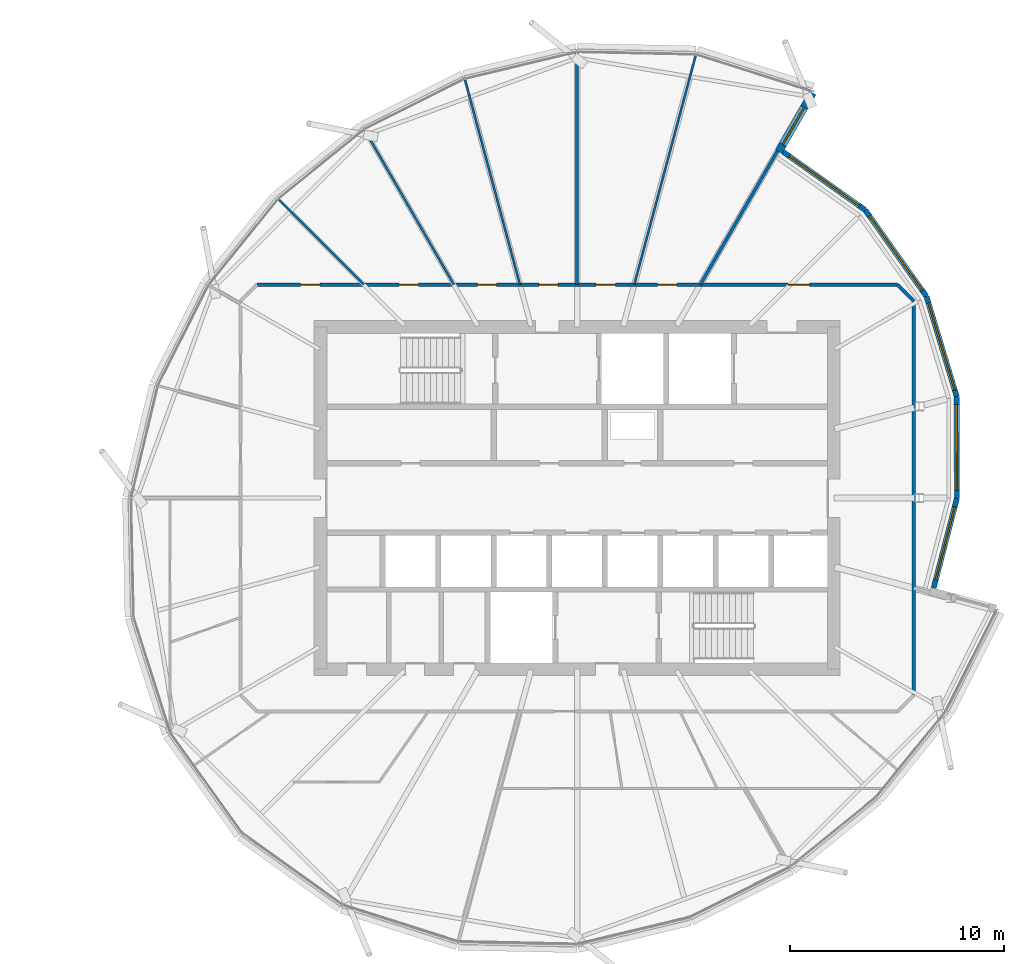
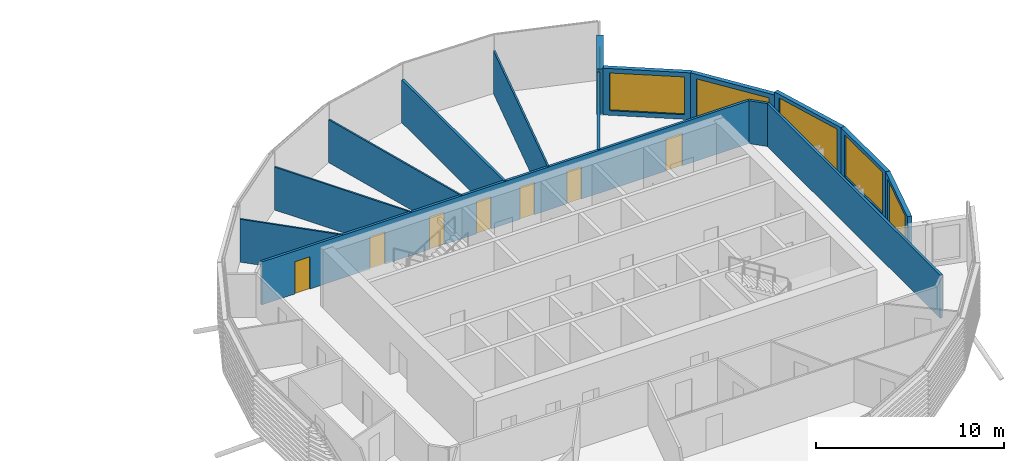
# One storey, part 23 of 37: 15 walls, 7 doors, 6 windows, 13 openings.
"""IFC4 building model written with IfcOpenShell, lengths in metres."""

import ifcopenshell
import ifcopenshell.guid

model = None  # the IFC model being written
_history = None  # IfcOwnerHistory: only IFC2X3 demands one
_inside = {}  # id of a spatial element -> (the spatial element, [elements in it])
_under = {}  # id of a project, library or spatial element -> (it, [spatial elements below it])
_declared = {}  # id of a project -> (the project, [libraries it declares])
_typed = {}  # id of a type object -> (the type object, [elements of that type])
_made_of = {}  # id of a material, layer set ... -> (it, [elements and type objects made of it])


def new_model(schema):
    """Start an empty IFC model of exactly this schema.

    Asked for "IFC4X3", IfcOpenShell would pick the latest addendum, in which some entities
    have other attributes; the version numbers below select the first issue.
    IFC2X3 requires an IfcOwnerHistory on every rooted entity: one is made here for all.
    """
    global model, _history
    if schema == "IFC4X3":
        model = ifcopenshell.file(schema_version=(4, 3, 0, 0))
    else:
        model = ifcopenshell.file(schema=schema)
    _inside.clear()
    _under.clear()
    _declared.clear()
    _typed.clear()
    _made_of.clear()
    _history = None
    if model.schema == "IFC2X3":
        org = make("IfcOrganization", Name="unknown")
        user = make(
            "IfcPersonAndOrganization",
            ThePerson=make("IfcPerson", FamilyName="unknown"),
            TheOrganization=org,
        )
        app = make(
            "IfcApplication",
            ApplicationDeveloper=org,
            Version="unknown",
            ApplicationFullName="unknown",
            ApplicationIdentifier="unknown",
        )
        _history = make(
            "IfcOwnerHistory",
            OwningUser=user,
            OwningApplication=app,
            ChangeAction="ADDED",
            CreationDate=0,
        )
    return model


def make(cls, **values):
    """One entity of the class cls with the attributes given. An attribute that is None is left unset."""
    return model.create_entity(
        cls, **{name: value for name, value in values.items() if value is not None}
    )


def rooted(cls, **values):
    """An entity with a GlobalId (a new one), such as an element, a storey or a relation."""
    return make(cls, GlobalId=ifcopenshell.guid.new(), OwnerHistory=_history, **values)


def si_unit(unit_type, name, prefix=None):
    """IfcSIUnit, for example si_unit("LENGTHUNIT", "METRE", prefix="MILLI")."""
    return make("IfcSIUnit", UnitType=unit_type, Prefix=prefix, Name=name)


def assignment(units):
    """IfcUnitAssignment: the units of a project."""
    return None if units is None else make("IfcUnitAssignment", Units=units)


def point(xyz):
    """IfcCartesianPoint."""
    return None if xyz is None else make("IfcCartesianPoint", Coordinates=xyz)


def direction(xyz):
    """IfcDirection."""
    return None if xyz is None else make("IfcDirection", DirectionRatios=xyz)


def frame(location, z_axis=None, x_axis=None):
    """IfcAxis2Placement3D, a coordinate frame: its origin and axes. An axis left out is left unset."""
    return make(
        "IfcAxis2Placement3D",
        Location=point(location),
        Axis=direction(z_axis),
        RefDirection=direction(x_axis),
    )


def frame_2d(location, x_axis=None):
    """IfcAxis2Placement2D, a coordinate frame in the plane: its origin and x axis."""
    return make(
        "IfcAxis2Placement2D", Location=point(location), RefDirection=direction(x_axis)
    )


def origin():
    """The frame at (0, 0, 0) with its axes left unset."""
    return frame((0.0, 0.0, 0.0))


def place(relative_to, where):
    """IfcLocalPlacement: puts the frame where relative to a parent placement (None: the world)."""
    return make(
        "IfcLocalPlacement", PlacementRelTo=relative_to, RelativePlacement=where
    )


def context(
    kind, dimensions, precision=None, world=None, true_north=None, identifier=None
):
    """IfcGeometricRepresentationContext, for example the 3D "Model" context."""
    return make(
        "IfcGeometricRepresentationContext",
        ContextIdentifier=identifier,
        ContextType=kind,
        CoordinateSpaceDimension=dimensions,
        Precision=precision,
        WorldCoordinateSystem=world,
        TrueNorth=true_north,
    )


def subcontext(parent, identifier, kind, view, scale=None):
    """IfcGeometricRepresentationSubContext, for example "Body" below "Model"."""
    return make(
        "IfcGeometricRepresentationSubContext",
        ContextIdentifier=identifier,
        ContextType=kind,
        ParentContext=parent,
        TargetScale=scale,
        TargetView=view,
    )


def project(units=None, contexts=None):
    """IfcProject with its units and contexts."""
    return rooted(
        "IfcProject",
        Name="project",
        RepresentationContexts=contexts,
        UnitsInContext=assignment(units),
    )


def spatial(cls, under=None, at=None, **own):
    """A site, building, storey or space (cls), placed at a placement, below another one or the project."""
    s = rooted(cls, ObjectPlacement=at, **own)
    if under is not None:
        _under.setdefault(under.id(), (under, []))[1].append(s)
    return s


def profile(cls, at=None, kind="AREA", **sizes):
    """A parametric profile (cls). Its sizes go by their IFC names, for example OverallWidth=200.0."""
    return make(cls, ProfileType=kind, Position=at, **sizes)


def rectangle(**sizes):
    """IfcRectangleProfileDef."""
    return profile("IfcRectangleProfileDef", **sizes)


def extrude(swept, where, along, depth):
    """IfcExtrudedAreaSolid: the profile swept, set in the frame where, extruded along a direction by depth."""
    return make(
        "IfcExtrudedAreaSolid",
        SweptArea=swept,
        Position=where,
        ExtrudedDirection=direction(along),
        Depth=depth,
    )


def shape(context_of_items, identifier, shape_type, items):
    """IfcShapeRepresentation: the items that make up one representation, for example the "Body"."""
    return make(
        "IfcShapeRepresentation",
        ContextOfItems=context_of_items,
        RepresentationIdentifier=identifier,
        RepresentationType=shape_type,
        Items=items,
    )


def material(Name=None, Category=None):
    """IfcMaterial."""
    return make("IfcMaterial", Name=Name, Category=Category)


def layer(
    of_material, thickness, ventilated=None, Name=None, Category=None, Priority=None
):
    """IfcMaterialLayer: one layer of a wall or slab, of a material (None: an air gap)."""
    return make(
        "IfcMaterialLayer",
        Material=of_material,
        LayerThickness=thickness,
        IsVentilated=ventilated,
        Name=Name,
        Category=Category,
        Priority=Priority,
    )


def layer_set(layers, Name=None):
    """IfcMaterialLayerSet."""
    return make("IfcMaterialLayerSet", MaterialLayers=layers, LayerSetName=Name)


def made_of(thing, what):
    """Note that an element or type object is made of a material, layer set ...; save() writes the relation."""
    if what is not None:
        _made_of.setdefault(what.id(), (what, []))[1].append(thing)
    return thing


def type_object(cls, material=None, **own):
    """A type object (cls), such as IfcWallType, which elements share."""
    return made_of(rooted(cls, **own), material)


def element(
    cls,
    number,
    at=None,
    inside=None,
    cuts=None,
    type_object=None,
    material=None,
    context=None,
    identifier="Body",
    shape_type=None,
    held_by="IfcProductDefinitionShape",
    body=None,
    shapes=None,
    **own,
):
    """One element of the class cls, such as IfcWall. Its Tag is "e" and its number.

    at: its placement. inside: the storey or other place that contains it. cuts: it is an
    opening in that element (IfcRelVoidsElement). A single representation is given by context,
    identifier, shape_type and body (its items); several are given by shapes. held_by: the class
    of the entity that holds the representations. save() writes the other relations.
    """
    e = rooted(cls, Tag="e%d" % number, ObjectPlacement=at, **own)
    if body is not None:
        shapes = [shape(context, identifier, shape_type, body)]
    if shapes is not None:
        e.Representation = make(held_by, Representations=shapes)
    if inside is not None:
        _inside.setdefault(inside.id(), (inside, []))[1].append(e)
    if cuts is not None:
        rooted(
            "IfcRelVoidsElement", RelatingBuildingElement=cuts, RelatedOpeningElement=e
        )
    if type_object is not None:
        _typed.setdefault(type_object.id(), (type_object, []))[1].append(e)
    return made_of(e, material)


def fill(opening, filler):
    """IfcRelFillsElement: the door or window that sits in an opening."""
    return rooted(
        "IfcRelFillsElement",
        RelatingOpeningElement=opening,
        RelatedBuildingElement=filler,
    )


def aggregate(whole, parts):
    """IfcRelAggregates: a whole, such as a stair, and the parts it consists of."""
    return rooted("IfcRelAggregates", RelatingObject=whole, RelatedObjects=parts)


def save(model, path):
    """Write the relations noted so far, then the file.

    IfcRelAggregates (storeys below a building ...), IfcRelContainedInSpatialStructure (elements
    in a storey), IfcRelDefinesByType, IfcRelAssociatesMaterial and IfcRelDeclares: one each for
    every whole, place, type object, material and project.
    """
    for whole, parts in _under.values():
        aggregate(whole, parts)
    for where, things in _inside.values():
        rooted(
            "IfcRelContainedInSpatialStructure",
            RelatedElements=things,
            RelatingStructure=where,
        )
    for kind, things in _typed.values():
        rooted("IfcRelDefinesByType", RelatedObjects=things, RelatingType=kind)
    for what, things in _made_of.values():
        rooted("IfcRelAssociatesMaterial", RelatedObjects=things, RelatingMaterial=what)
    for by, libraries in _declared.values():
        rooted("IfcRelDeclares", RelatingContext=by, RelatedDefinitions=libraries)
    model.write(path)


model = new_model("IFC4")

# Units and contexts
model_context = context("Model", 3, precision=1e-05, world=origin(), true_north=direction((0.0, 1.0)))
body_context = subcontext(model_context, "Body", "Model", "MODEL_VIEW")
ifc_project = project(units=[si_unit("LENGTHUNIT", "METRE"), si_unit("AREAUNIT", "SQUARE_METRE"), si_unit("VOLUMEUNIT", "CUBIC_METRE"), si_unit("PLANEANGLEUNIT", "RADIAN"), si_unit("MASSUNIT", "GRAM", prefix="KILO")], contexts=[model_context])

# Site, building, storey
site_placement = place(None, origin())
site = spatial("IfcSite", under=ifc_project, at=site_placement, CompositionType="ELEMENT")
building_placement = place(site_placement, origin())
building = spatial("IfcBuilding", under=site, at=building_placement, Name="Rimbun Link Towers", CompositionType="ELEMENT")
storey_placement = place(building_placement, frame((0.0, 0.0, 177.89990234375)))
storey = spatial("IfcBuildingStorey", under=building, at=storey_placement, Name="L43", CompositionType="ELEMENT", Elevation=177.89990234375)

# Wall, opening, window
ifc_material_1 = material(Name="Dark enamelled glass spandrel on insulated aluminium backpan", Category="aluminium")
ifc_layer_1 = layer(ifc_material_1, 0.25)
ifc_layer_set_1 = layer_set([ifc_layer_1], Name="CS dark enamelled spandrel wall 250")
wall_type_1 = type_object("IfcWallType", Name="CS dark enamelled spandrel wall 250", PredefinedType="STANDARD", material=ifc_layer_set_1)
wall_1_placement = place(storey_placement, frame((41.3837890625, 16.18603515625, 0.0), z_axis=(0.0, 0.0, 1.0), x_axis=(0.815645531274, -0.578551957315, 0.0)))
wall_1 = element("IfcWall", 1, at=wall_1_placement, inside=storey, type_object=wall_type_1, Name="Crease spandrel wall", PredefinedType="STANDARD", context=body_context, shape_type="SweptSolid", body=[
    extrude(rectangle(XDim=4.69970703125, YDim=0.25, at=frame_2d((2.349853515625, 0.0))), origin(), (0.0, 0.0, 1.0), 3.03759765625),
])
opening_1_placement = place(wall_1_placement, frame((0.349853515625, 0.0, 0.300048828125)))
opening_1 = element("IfcOpeningElement", 2, at=opening_1_placement, cuts=wall_1, Name="Opening WR40H245", PredefinedType="OPENING", context=body_context, shape_type="SweptSolid", body=[
    extrude(rectangle(XDim=4.0, YDim=2.449951171875, at=frame_2d((2.0, 1.22509765625))), frame((0.0, 0.135009765625, 0.0), z_axis=(0.0, -1.0, 0.0), x_axis=(1.0, 0.0, 0.0)), (0.0, 0.0, 1.0), 0.27001953125),
])
ifc_material_2 = material(Name="Aluminium framed fixed window, dark tinted low-e glass", Category="aluminium")
window_type_1 = type_object("IfcWindowType", Name="WR ribbon window 4000X2450", PartitioningType="SINGLE_PANEL", PredefinedType="WINDOW", material=ifc_material_2)
window_1_placement = place(opening_1_placement, origin())
window_1 = element("IfcWindow", 3, at=window_1_placement, inside=storey, type_object=window_type_1, Name="Crease ribbon window", OverallHeight=2.449951171875, OverallWidth=4.0, PartitioningType="SINGLE_PANEL", PredefinedType="WINDOW", context=body_context, shape_type="SweptSolid", body=[
    extrude(rectangle(XDim=4.0, YDim=2.449951171875, at=frame_2d((2.0, 1.22509765625))), frame((0.0, 0.030029296875, 0.0), z_axis=(0.0, -1.0, 0.0), x_axis=(1.0, 0.0, 0.0)), (0.0, 0.0, 1.0), 0.06005859375),
])
fill(opening_1, window_1)

wall_2_placement = place(storey_placement, frame((49.508056640625, -0.015869140625, 0.0), z_axis=(0.0, 0.0, 1.0), x_axis=(-0.251014977981, -0.967983202762, 0.0)))
wall_2 = element("IfcWall", 4, at=wall_2_placement, inside=storey, type_object=wall_type_1, Name="Crease spandrel wall", PredefinedType="STANDARD", context=body_context, shape_type="SweptSolid", body=[
    extrude(rectangle(XDim=4.3310546875, YDim=0.25, at=frame_2d((2.16552734375, 0.0))), origin(), (0.0, 0.0, 1.0), 3.233642578125),
])
opening_2_placement = place(wall_2_placement, frame((0.41552734375, 0.0, 0.300048828125)))
opening_2 = element("IfcOpeningElement", 5, at=opening_2_placement, cuts=wall_2, Name="Opening WR35H270", PredefinedType="OPENING", context=body_context, shape_type="SweptSolid", body=[
    extrude(rectangle(XDim=3.5, YDim=2.699951171875, at=frame_2d((1.75, 1.35009765625))), frame((0.0, 0.135009765625, 0.0), z_axis=(0.0, -1.0, 0.0), x_axis=(1.0, 0.0, 0.0)), (0.0, 0.0, 1.0), 0.27001953125),
])
ifc_material_3 = material(Name="Aluminium framed fixed window, dark tinted low-e glass", Category="aluminium")
window_type_2 = type_object("IfcWindowType", Name="WR ribbon window 3500X2700", PartitioningType="SINGLE_PANEL", PredefinedType="WINDOW", material=ifc_material_3)
window_2_placement = place(opening_2_placement, origin())
window_2 = element("IfcWindow", 6, at=window_2_placement, inside=storey, type_object=window_type_2, Name="Crease ribbon window", OverallHeight=2.699951171875, OverallWidth=3.5, PartitioningType="SINGLE_PANEL", PredefinedType="WINDOW", context=body_context, shape_type="SweptSolid", body=[
    extrude(rectangle(XDim=3.5, YDim=2.699951171875, at=frame_2d((1.75, 1.35009765625))), frame((0.0, 0.030029296875, 0.0), z_axis=(0.0, -1.0, 0.0), x_axis=(1.0, 0.0, 0.0)), (0.0, 0.0, 1.0), 0.06005859375),
])
fill(opening_2, window_2)

wall_3_placement = place(storey_placement, frame((49.500244140625, 4.7412109375, 0.0), z_axis=(0.0, 0.0, 1.0), x_axis=(0.001642286725, -0.999998651446, 0.0)))
wall_3 = element("IfcWall", 7, at=wall_3_placement, inside=storey, type_object=wall_type_1, Name="Crease spandrel wall", PredefinedType="STANDARD", context=body_context, shape_type="SweptSolid", body=[
    extrude(rectangle(XDim=4.757080078125, YDim=0.25, at=frame_2d((2.37841796875, 0.0))), origin(), (0.0, 0.0, 1.0), 3.233642578125),
])
opening_3_placement = place(wall_3_placement, frame((0.378662109375, 0.0, 0.300048828125)))
opening_3 = element("IfcOpeningElement", 8, at=opening_3_placement, cuts=wall_3, Name="Opening WR40H270", PredefinedType="OPENING", context=body_context, shape_type="SweptSolid", body=[
    extrude(rectangle(XDim=4.0, YDim=2.699951171875, at=frame_2d((2.0, 1.35009765625))), frame((0.0, 0.135009765625, 0.0), z_axis=(0.0, -1.0, 0.0), x_axis=(1.0, 0.0, 0.0)), (0.0, 0.0, 1.0), 0.27001953125),
])
ifc_material_4 = material(Name="Aluminium framed fixed window, dark tinted low-e glass", Category="aluminium")
window_type_3 = type_object("IfcWindowType", Name="WR ribbon window 4000X2700", PartitioningType="SINGLE_PANEL", PredefinedType="WINDOW", material=ifc_material_4)
window_3_placement = place(opening_3_placement, origin())
window_3 = element("IfcWindow", 9, at=window_3_placement, inside=storey, type_object=window_type_3, Name="Crease ribbon window", OverallHeight=2.699951171875, OverallWidth=4.0, PartitioningType="SINGLE_PANEL", PredefinedType="WINDOW", context=body_context, shape_type="SweptSolid", body=[
    extrude(rectangle(XDim=4.0, YDim=2.699951171875, at=frame_2d((2.0, 1.35009765625))), frame((0.0, 0.030029296875, 0.0), z_axis=(0.0, -1.0, 0.0), x_axis=(1.0, 0.0, 0.0)), (0.0, 0.0, 1.0), 0.06005859375),
])
fill(opening_3, window_3)

wall_4_placement = place(storey_placement, frame((48.08642578125, 9.421875, 0.0), z_axis=(0.0, 0.0, 1.0), x_axis=(0.289152232051, -0.957283127763, 0.0)))
wall_4 = element("IfcWall", 10, at=wall_4_placement, inside=storey, type_object=wall_type_1, Name="Crease spandrel wall", PredefinedType="STANDARD", context=body_context, shape_type="SweptSolid", body=[
    extrude(rectangle(XDim=4.8896484375, YDim=0.25, at=frame_2d((2.44482421875, 0.0))), origin(), (0.0, 0.0, 1.0), 3.233642578125),
])
opening_4_placement = place(wall_4_placement, frame((0.31982421875, 0.0, 0.300048828125)))
opening_4 = element("IfcOpeningElement", 11, at=opening_4_placement, cuts=wall_4, Name="Opening WR42H270", PredefinedType="OPENING", context=body_context, shape_type="SweptSolid", body=[
    extrude(rectangle(XDim=4.25, YDim=2.699951171875, at=frame_2d((2.125, 1.35009765625))), frame((0.0, 0.135009765625, 0.0), z_axis=(0.0, -1.0, 0.0), x_axis=(1.0, 0.0, 0.0)), (0.0, 0.0, 1.0), 0.27001953125),
])
ifc_material_5 = material(Name="Aluminium framed fixed window, dark tinted low-e glass", Category="aluminium")
window_type_4 = type_object("IfcWindowType", Name="WR ribbon window 4250X2700", PartitioningType="SINGLE_PANEL", PredefinedType="WINDOW", material=ifc_material_5)
window_4_placement = place(opening_4_placement, origin())
window_4 = element("IfcWindow", 12, at=window_4_placement, inside=storey, type_object=window_type_4, Name="Crease ribbon window", OverallHeight=2.699951171875, OverallWidth=4.25, PartitioningType="SINGLE_PANEL", PredefinedType="WINDOW", context=body_context, shape_type="SweptSolid", body=[
    extrude(rectangle(XDim=4.25, YDim=2.699951171875, at=frame_2d((2.125, 1.35009765625))), frame((0.0, 0.030029296875, 0.0), z_axis=(0.0, -1.0, 0.0), x_axis=(1.0, 0.0, 0.0)), (0.0, 0.0, 1.0), 0.06005859375),
])
fill(opening_4, window_4)

wall_5_placement = place(storey_placement, frame((45.217041015625, 13.467041015625, 0.0), z_axis=(0.0, 0.0, 1.0), x_axis=(0.578562177789, -0.815638281612, 0.0)))
wall_5 = element("IfcWall", 13, at=wall_5_placement, inside=storey, type_object=wall_type_1, Name="Crease spandrel wall", PredefinedType="STANDARD", context=body_context, shape_type="SweptSolid", body=[
    extrude(rectangle(XDim=4.95947265625, YDim=0.25, at=frame_2d((2.479736328125, 0.0))), origin(), (0.0, 0.0, 1.0), 3.03759765625),
])
opening_5_placement = place(wall_5_placement, frame((0.354736328125, 0.0, 0.300048828125)))
opening_5 = element("IfcOpeningElement", 14, at=opening_5_placement, cuts=wall_5, Name="Opening WR42H245", PredefinedType="OPENING", context=body_context, shape_type="SweptSolid", body=[
    extrude(rectangle(XDim=4.25, YDim=2.449951171875, at=frame_2d((2.125, 1.22509765625))), frame((0.0, 0.135009765625, 0.0), z_axis=(0.0, -1.0, 0.0), x_axis=(1.0, 0.0, 0.0)), (0.0, 0.0, 1.0), 0.27001953125),
])
ifc_material_6 = material(Name="Aluminium framed fixed window, dark tinted low-e glass", Category="aluminium")
window_type_5 = type_object("IfcWindowType", Name="WR ribbon window 4250X2450", PartitioningType="SINGLE_PANEL", PredefinedType="WINDOW", material=ifc_material_6)
window_5_placement = place(opening_5_placement, origin())
window_5 = element("IfcWindow", 15, at=window_5_placement, inside=storey, type_object=window_type_5, Name="Crease ribbon window", OverallHeight=2.449951171875, OverallWidth=4.25, PartitioningType="SINGLE_PANEL", PredefinedType="WINDOW", context=body_context, shape_type="SweptSolid", body=[
    extrude(rectangle(XDim=4.25, YDim=2.449951171875, at=frame_2d((2.125, 1.22509765625))), frame((0.0, 0.030029296875, 0.0), z_axis=(0.0, -1.0, 0.0), x_axis=(1.0, 0.0, 0.0)), (0.0, 0.0, 1.0), 0.06005859375),
])
fill(opening_5, window_5)

ifc_material_7 = material(Name="Dark enamelled glass spandrel on insulated aluminium backpan", Category="aluminium")
ifc_layer_2 = layer(ifc_material_7, 0.3701171875)
ifc_layer_set_2 = layer_set([ifc_layer_2], Name="CS dark enamelled spandrel wall 370")
wall_type_2 = type_object("IfcWallType", Name="CS dark enamelled spandrel wall 370", PredefinedType="STANDARD", material=ifc_layer_set_2)
wall_6_placement = place(storey_placement, frame((42.762451171875, 18.944091796875, 0.0), z_axis=(0.0, 0.0, 1.0), x_axis=(-0.4999705729, -0.866042392862, 0.0)))
wall_6 = element("IfcWall", 16, at=wall_6_placement, inside=storey, type_object=wall_type_2, Name="Crease spandrel wall", PredefinedType="STANDARD", context=body_context, shape_type="SweptSolid", body=[
    extrude(rectangle(XDim=3.179931640625, YDim=0.3701171875, at=frame_2d((1.58984375, 0.0))), origin(), (0.0, 0.0, 1.0), 2.95654296875),
])
opening_6_placement = place(wall_6_placement, frame((0.79443359375, 0.0, 0.300048828125)))
opening_6 = element("IfcOpeningElement", 17, at=opening_6_placement, cuts=wall_6, Name="Opening WR20H245", PredefinedType="OPENING", context=body_context, shape_type="SweptSolid", body=[
    extrude(rectangle(XDim=2.0, YDim=2.449951171875, at=frame_2d((1.0, 1.22509765625))), frame((0.0, 0.195068359375, 0.0), z_axis=(0.0, -1.0, 0.0), x_axis=(1.0, 0.0, 0.0)), (0.0, 0.0, 1.0), 0.39013671875),
])
ifc_material_8 = material(Name="Aluminium framed fixed window, dark tinted low-e glass", Category="aluminium")
window_type_6 = type_object("IfcWindowType", Name="WR ribbon window 2000X2450", PartitioningType="SINGLE_PANEL", PredefinedType="WINDOW", material=ifc_material_8)
window_6_placement = place(opening_6_placement, origin())
window_6 = element("IfcWindow", 18, at=window_6_placement, inside=storey, type_object=window_type_6, Name="Crease ribbon window", OverallHeight=2.449951171875, OverallWidth=2.0, PartitioningType="SINGLE_PANEL", PredefinedType="WINDOW", context=body_context, shape_type="SweptSolid", body=[
    extrude(rectangle(XDim=2.0, YDim=2.449951171875, at=frame_2d((1.0, 1.22509765625))), frame((0.0, 0.030029296875, 0.0), z_axis=(0.0, -1.0, 0.0), x_axis=(1.0, 0.0, 0.0)), (0.0, 0.0, 1.0), 0.06005859375),
])
fill(opening_6, window_6)

# Wall, openings, doors
ifc_material_9 = material(Name="Plasterboard on steel stud, mineral wool", Category="steel")
ifc_layer_3 = layer(ifc_material_9, 0.14990234375)
ifc_layer_set_3 = layer_set([ifc_layer_3], Name="Corridor wall EI 30 150 mm")
wall_type_3 = type_object("IfcWallType", Name="Corridor wall EI 30 150 mm", PredefinedType="PARTITIONING", material=ifc_layer_set_3)
wall_7_placement = place(storey_placement, frame((16.7763671875, 9.97509765625, 0.0), z_axis=(0.0, 0.0, 1.0), x_axis=(1.0, 0.0, 0.0)))
wall_7 = element("IfcWall", 19, at=wall_7_placement, inside=storey, type_object=wall_type_3, Name="Corridor wall EI 30 150 mm", PredefinedType="PARTITIONING", context=body_context, shape_type="SweptSolid", body=[
    extrude(rectangle(XDim=29.947265625, YDim=0.14990234375, at=frame_2d((14.9736328125, 0.0))), origin(), (0.0, 0.0, 1.0), 2.7890625),
])
opening_7_placement = place(wall_7_placement, frame((18.739501953125, 0.0, 0.0)))
opening_7 = element("IfcOpeningElement", 20, at=opening_7_placement, cuts=wall_7, Name="Opening D02", PredefinedType="OPENING", context=body_context, shape_type="SweptSolid", body=[
    extrude(rectangle(XDim=0.89990234375, YDim=2.10009765625, at=frame_2d((0.449951171875, 1.050048828125))), frame((0.0, 0.0849609375, 0.0), z_axis=(0.0, -1.0, 0.0), x_axis=(1.0, 0.0, 0.0)), (0.0, 0.0, 1.0), 0.169921875),
])
opening_8_placement = place(wall_7_placement, frame((15.860107421875, 0.0, 0.0)))
opening_8 = element("IfcOpeningElement", 21, at=opening_8_placement, cuts=wall_7, Name="Opening D02", PredefinedType="OPENING", context=body_context, shape_type="SweptSolid", body=[
    extrude(rectangle(XDim=0.89990234375, YDim=2.10009765625, at=frame_2d((0.449951171875, 1.050048828125))), frame((0.0, 0.0849609375, 0.0), z_axis=(0.0, -1.0, 0.0), x_axis=(1.0, 0.0, 0.0)), (0.0, 0.0, 1.0), 0.169921875),
])
opening_9_placement = place(wall_7_placement, frame((13.187255859375, 0.0, 0.0)))
opening_9 = element("IfcOpeningElement", 22, at=opening_9_placement, cuts=wall_7, Name="Opening D02", PredefinedType="OPENING", context=body_context, shape_type="SweptSolid", body=[
    extrude(rectangle(XDim=0.89990234375, YDim=2.10009765625, at=frame_2d((0.449951171875, 1.050048828125))), frame((0.0, 0.0849609375, 0.0), z_axis=(0.0, -1.0, 0.0), x_axis=(1.0, 0.0, 0.0)), (0.0, 0.0, 1.0), 0.169921875),
])
opening_10_placement = place(wall_7_placement, frame((10.307861328125, 0.0, 0.0)))
opening_10 = element("IfcOpeningElement", 23, at=opening_10_placement, cuts=wall_7, Name="Opening D02", PredefinedType="OPENING", context=body_context, shape_type="SweptSolid", body=[
    extrude(rectangle(XDim=0.89990234375, YDim=2.10009765625, at=frame_2d((0.449951171875, 1.050048828125))), frame((0.0, 0.0849609375, 0.0), z_axis=(0.0, -1.0, 0.0), x_axis=(1.0, 0.0, 0.0)), (0.0, 0.0, 1.0), 0.169921875),
])
opening_11_placement = place(wall_7_placement, frame((6.65673828125, 0.0, 0.0)))
opening_11 = element("IfcOpeningElement", 24, at=opening_11_placement, cuts=wall_7, Name="Opening D02", PredefinedType="OPENING", context=body_context, shape_type="SweptSolid", body=[
    extrude(rectangle(XDim=0.89990234375, YDim=2.10009765625, at=frame_2d((0.449951171875, 1.050048828125))), frame((0.0, 0.0849609375, 0.0), z_axis=(0.0, -1.0, 0.0), x_axis=(1.0, 0.0, 0.0)), (0.0, 0.0, 1.0), 0.169921875),
])
opening_12_placement = place(wall_7_placement, frame((2.04931640625, 0.0, 0.0)))
opening_12 = element("IfcOpeningElement", 25, at=opening_12_placement, cuts=wall_7, Name="Opening D02", PredefinedType="OPENING", context=body_context, shape_type="SweptSolid", body=[
    extrude(rectangle(XDim=0.89990234375, YDim=2.10009765625, at=frame_2d((0.449951171875, 1.050048828125))), frame((0.0, 0.0849609375, 0.0), z_axis=(0.0, -1.0, 0.0), x_axis=(1.0, 0.0, 0.0)), (0.0, 0.0, 1.0), 0.169921875),
])
opening_13_placement = place(wall_7_placement, frame((24.840087890625, 0.0, 0.0)))
opening_13 = element("IfcOpeningElement", 26, at=opening_13_placement, cuts=wall_7, Name="Opening D01", PredefinedType="OPENING", context=body_context, shape_type="SweptSolid", body=[
    extrude(rectangle(XDim=1.0, YDim=2.10009765625, at=frame_2d((0.5, 1.050048828125))), frame((0.0, 0.0849609375, 0.0), z_axis=(0.0, -1.0, 0.0), x_axis=(1.0, 0.0, 0.0)), (0.0, 0.0, 1.0), 0.169921875),
])
ifc_material_10 = material(Name="Fire-resisting timber door leaf", Category="wood")
door_type_1 = type_object("IfcDoorType", Name="Fire door FD30S 1000", OperationType="NOTDEFINED", PredefinedType="DOOR", material=ifc_material_10)
door_1_placement = place(opening_13_placement, origin())
door_1 = element("IfcDoor", 27, at=door_1_placement, inside=storey, type_object=door_type_1, Name="Fire door FD30S 1000 to Terrace office", OperationType="SINGLE_SWING_LEFT", OverallHeight=2.10009765625, OverallWidth=1.0, PredefinedType="DOOR", context=body_context, shape_type="SweptSolid", body=[
    extrude(rectangle(XDim=1.0, YDim=2.10009765625, at=frame_2d((0.5, 1.050048828125))), frame((0.0, 0.02490234375, 0.0), z_axis=(0.0, -1.0, 0.0), x_axis=(1.0, 0.0, 0.0)), (0.0, 0.0, 1.0), 0.050048828125),
])
fill(opening_13, door_1)
ifc_material_11 = material(Name="Fire-resisting timber door leaf", Category="wood")
door_type_2 = type_object("IfcDoorType", Name="Fire door FD30S 900", OperationType="NOTDEFINED", PredefinedType="DOOR", material=ifc_material_11)
door_2_placement = place(opening_7_placement, origin())
door_2 = element("IfcDoor", 28, at=door_2_placement, inside=storey, type_object=door_type_2, Name="Fire door FD30S 900 to Training room", OperationType="SINGLE_SWING_LEFT", OverallHeight=2.10009765625, OverallWidth=0.89990234375, PredefinedType="DOOR", context=body_context, shape_type="SweptSolid", body=[
    extrude(rectangle(XDim=0.89990234375, YDim=2.10009765625, at=frame_2d((0.449951171875, 1.050048828125))), frame((0.0, 0.02490234375, 0.0), z_axis=(0.0, -1.0, 0.0), x_axis=(1.0, 0.0, 0.0)), (0.0, 0.0, 1.0), 0.050048828125),
])
fill(opening_7, door_2)
door_3_placement = place(opening_8_placement, origin())
door_3 = element("IfcDoor", 29, at=door_3_placement, inside=storey, type_object=door_type_2, Name="Fire door FD30S 900 to Meeting room", OperationType="SINGLE_SWING_RIGHT", OverallHeight=2.10009765625, OverallWidth=0.89990234375, PredefinedType="DOOR", context=body_context, shape_type="SweptSolid", body=[
    extrude(rectangle(XDim=0.89990234375, YDim=2.10009765625, at=frame_2d((0.449951171875, 1.050048828125))), frame((0.0, 0.02490234375, 0.0), z_axis=(0.0, -1.0, 0.0), x_axis=(1.0, 0.0, 0.0)), (0.0, 0.0, 1.0), 0.050048828125),
])
fill(opening_8, door_3)
door_4_placement = place(opening_9_placement, origin())
door_4 = element("IfcDoor", 30, at=door_4_placement, inside=storey, type_object=door_type_2, Name="Fire door FD30S 900 to Data room", OperationType="SINGLE_SWING_LEFT", OverallHeight=2.10009765625, OverallWidth=0.89990234375, PredefinedType="DOOR", context=body_context, shape_type="SweptSolid", body=[
    extrude(rectangle(XDim=0.89990234375, YDim=2.10009765625, at=frame_2d((0.449951171875, 1.050048828125))), frame((0.0, 0.02490234375, 0.0), z_axis=(0.0, -1.0, 0.0), x_axis=(1.0, 0.0, 0.0)), (0.0, 0.0, 1.0), 0.050048828125),
])
fill(opening_9, door_4)
door_5_placement = place(opening_10_placement, origin())
door_5 = element("IfcDoor", 31, at=door_5_placement, inside=storey, type_object=door_type_2, Name="Fire door FD30S 900 to Communications room", OperationType="SINGLE_SWING_RIGHT", OverallHeight=2.10009765625, OverallWidth=0.89990234375, PredefinedType="DOOR", context=body_context, shape_type="SweptSolid", body=[
    extrude(rectangle(XDim=0.89990234375, YDim=2.10009765625, at=frame_2d((0.449951171875, 1.050048828125))), frame((0.0, 0.02490234375, 0.0), z_axis=(0.0, -1.0, 0.0), x_axis=(1.0, 0.0, 0.0)), (0.0, 0.0, 1.0), 0.050048828125),
])
fill(opening_10, door_5)
door_6_placement = place(opening_11_placement, origin())
door_6 = element("IfcDoor", 32, at=door_6_placement, inside=storey, type_object=door_type_2, Name="Fire door FD30S 900 to Trading floor", OperationType="SINGLE_SWING_LEFT", OverallHeight=2.10009765625, OverallWidth=0.89990234375, PredefinedType="DOOR", context=body_context, shape_type="SweptSolid", body=[
    extrude(rectangle(XDim=0.89990234375, YDim=2.10009765625, at=frame_2d((0.449951171875, 1.050048828125))), frame((0.0, 0.02490234375, 0.0), z_axis=(0.0, -1.0, 0.0), x_axis=(1.0, 0.0, 0.0)), (0.0, 0.0, 1.0), 0.050048828125),
])
fill(opening_11, door_6)
door_7_placement = place(opening_12_placement, origin())
door_7 = element("IfcDoor", 33, at=door_7_placement, inside=storey, type_object=door_type_2, Name="Fire door FD30S 900 to Data room", OperationType="SINGLE_SWING_RIGHT", OverallHeight=2.10009765625, OverallWidth=0.89990234375, PredefinedType="DOOR", context=body_context, shape_type="SweptSolid", body=[
    extrude(rectangle(XDim=0.89990234375, YDim=2.10009765625, at=frame_2d((0.449951171875, 1.050048828125))), frame((0.0, 0.02490234375, 0.0), z_axis=(0.0, -1.0, 0.0), x_axis=(1.0, 0.0, 0.0)), (0.0, 0.0, 1.0), 0.050048828125),
])
fill(opening_12, door_7)

# Walls
wall_8_placement = place(storey_placement, frame((47.485107421875, 9.213623046875, 0.0), z_axis=(0.0, 0.0, 1.0), x_axis=(-0.707106781187, 0.707106781187, 0.0)))
element("IfcWall", 34, at=wall_8_placement, inside=storey, type_object=wall_type_3, Name="Corridor wall EI 30 150 mm", PredefinedType="PARTITIONING", context=body_context, shape_type="SweptSolid", body=[
    extrude(rectangle(XDim=1.076904296875, YDim=0.14990234375, at=frame_2d((0.53857421875, 0.0))), origin(), (0.0, 0.0, 1.0), 2.7890625),
])
wall_9_placement = place(storey_placement, frame((47.485107421875, -9.213623046875, 0.0), z_axis=(0.0, 0.0, 1.0), x_axis=(0.0, 1.0, 0.0)))
element("IfcWall", 35, at=wall_9_placement, inside=storey, type_object=wall_type_3, Name="Corridor wall EI 30 150 mm", PredefinedType="PARTITIONING", context=body_context, shape_type="SweptSolid", body=[
    extrude(rectangle(XDim=18.42724609375, YDim=0.14990234375, at=frame_2d((9.213623046875, 0.0))), origin(), (0.0, 0.0, 1.0), 2.7890625),
])
ifc_material_12 = material(Name="Plasterboard on steel stud", Category="steel")
ifc_layer_4 = layer(ifc_material_12, 0.10009765625)
ifc_layer_set_4 = layer_set([ifc_layer_4], Name="Plasterboard partition 100 mm")
wall_type_4 = type_object("IfcWallType", Name="Plasterboard partition 100 mm", PredefinedType="PARTITIONING", material=ifc_layer_set_4)
wall_10_placement = place(storey_placement, frame((37.30078125, 20.71630859375, 0.0), z_axis=(0.0, 0.0, 1.0), x_axis=(-0.258804856252, -0.965929628068, 0.0)))
element("IfcWall", 36, at=wall_10_placement, inside=storey, type_object=wall_type_4, Name="Plasterboard partition 100 mm", PredefinedType="PARTITIONING", context=body_context, shape_type="SweptSolid", body=[
    extrude(rectangle(XDim=11.1201171875, YDim=0.10009765625, at=frame_2d((5.56005859375, 0.0))), origin(), (0.0, 0.0, 1.0), 2.7890625),
])
wall_11_placement = place(storey_placement, frame((26.50390625, 19.57861328125, 0.0), z_axis=(0.0, 0.0, 1.0), x_axis=(0.258817912539, -0.965926129758, 0.0)))
element("IfcWall", 37, at=wall_11_placement, inside=storey, type_object=wall_type_4, Name="Plasterboard partition 100 mm", PredefinedType="PARTITIONING", context=body_context, shape_type="SweptSolid", body=[
    extrude(rectangle(XDim=9.9423828125, YDim=0.10009765625, at=frame_2d((4.97119140625, 0.0))), origin(), (0.0, 0.0, 1.0), 2.7890625),
])
wall_12_placement = place(storey_placement, frame((21.807861328125, 17.22021484375, 0.0), z_axis=(0.0, 0.0, 1.0), x_axis=(0.50001211238, -0.866018410586, 0.0)))
element("IfcWall", 38, at=wall_12_placement, inside=storey, type_object=wall_type_4, Name="Plasterboard partition 100 mm", PredefinedType="PARTITIONING", context=body_context, shape_type="SweptSolid", body=[
    extrude(rectangle(XDim=8.365966796875, YDim=0.10009765625, at=frame_2d((4.18310546875, 0.0))), origin(), (0.0, 0.0, 1.0), 2.7890625),
])
wall_13_placement = place(storey_placement, frame((17.78564453125, 13.96435546875, 0.0), z_axis=(0.0, 0.0, 1.0), x_axis=(0.707106781187, -0.707106781187, 0.0)))
element("IfcWall", 39, at=wall_13_placement, inside=storey, type_object=wall_type_4, Name="Plasterboard partition 100 mm", PredefinedType="PARTITIONING", context=body_context, shape_type="SweptSolid", body=[
    extrude(rectangle(XDim=5.6416015625, YDim=0.10009765625, at=frame_2d((2.82080078125, 0.0))), origin(), (0.0, 0.0, 1.0), 2.7890625),
])
ifc_material_13 = material(Name="Plasterboard on steel stud, mineral wool", Category="steel")
ifc_layer_5 = layer(ifc_material_13, 0.14990234375)
ifc_layer_set_5 = layer_set([ifc_layer_5], Name="Tenancy separation wall EI 60 150 mm")
wall_type_5 = type_object("IfcWallType", Name="Tenancy separation wall EI 60 150 mm", PredefinedType="PARTITIONING", material=ifc_layer_set_5)
wall_14_placement = place(storey_placement, frame((37.509033203125, 9.97509765625, 0.0), z_axis=(0.0, 0.0, 1.0), x_axis=(0.500015396624, 0.866016514357, 0.0)))
element("IfcWall", 40, at=wall_14_placement, inside=storey, type_object=wall_type_5, Name="Tenancy separation wall EI 60 150 mm", PredefinedType="PARTITIONING", context=body_context, shape_type="SweptSolid", body=[
    extrude(rectangle(XDim=7.214111328125, YDim=0.14990234375, at=frame_2d((3.60693359375, 0.0))), origin(), (0.0, 0.0, 1.0), 2.7890625),
])
wall_15_placement = place(storey_placement, frame((31.75, 9.97509765625, 0.0), z_axis=(0.0, 0.0, 1.0), x_axis=(0.0, 1.0, 0.0)))
element("IfcWall", 41, at=wall_15_placement, inside=storey, type_object=wall_type_5, Name="Tenancy separation wall EI 60 150 mm", PredefinedType="PARTITIONING", context=body_context, shape_type="SweptSolid", body=[
    extrude(rectangle(XDim=10.85791015625, YDim=0.14990234375, at=frame_2d((5.428955078125, 0.0))), origin(), (0.0, 0.0, 1.0), 2.7890625),
])

save(model, "model.ifc")
